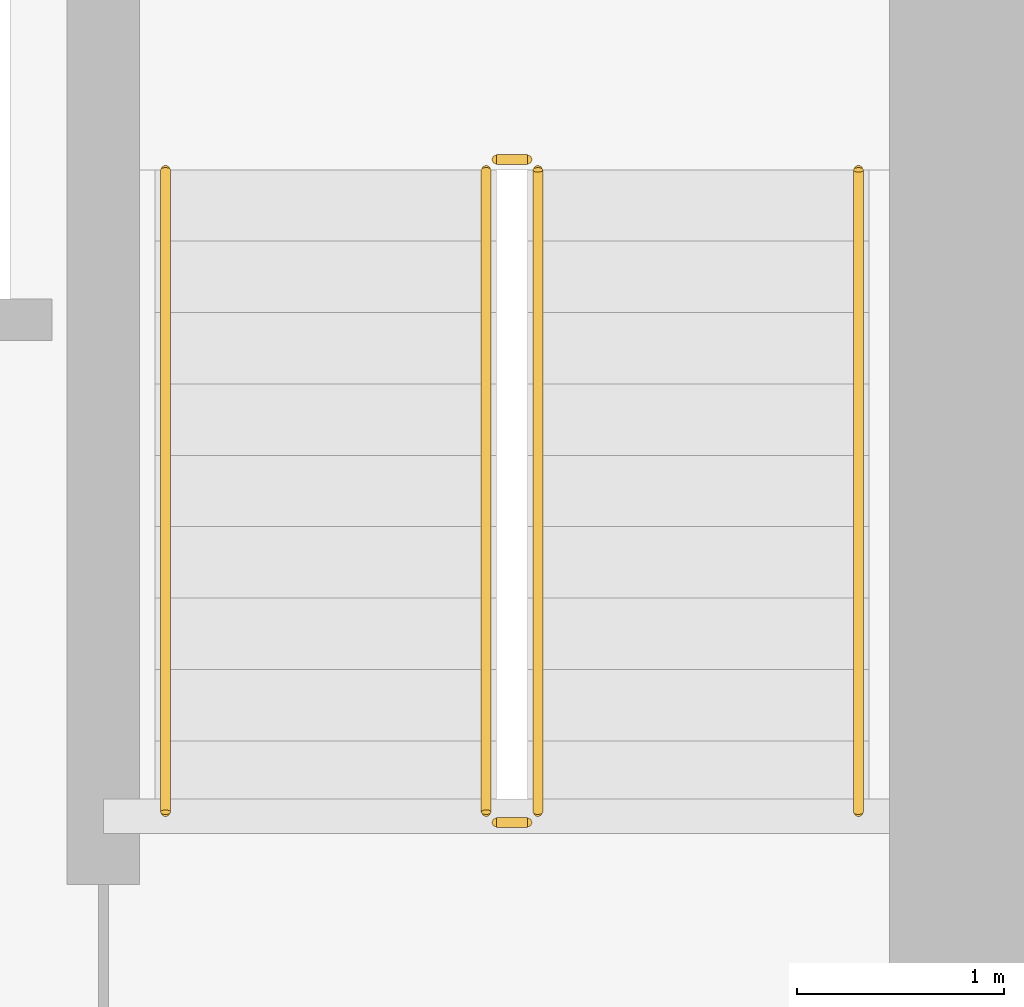
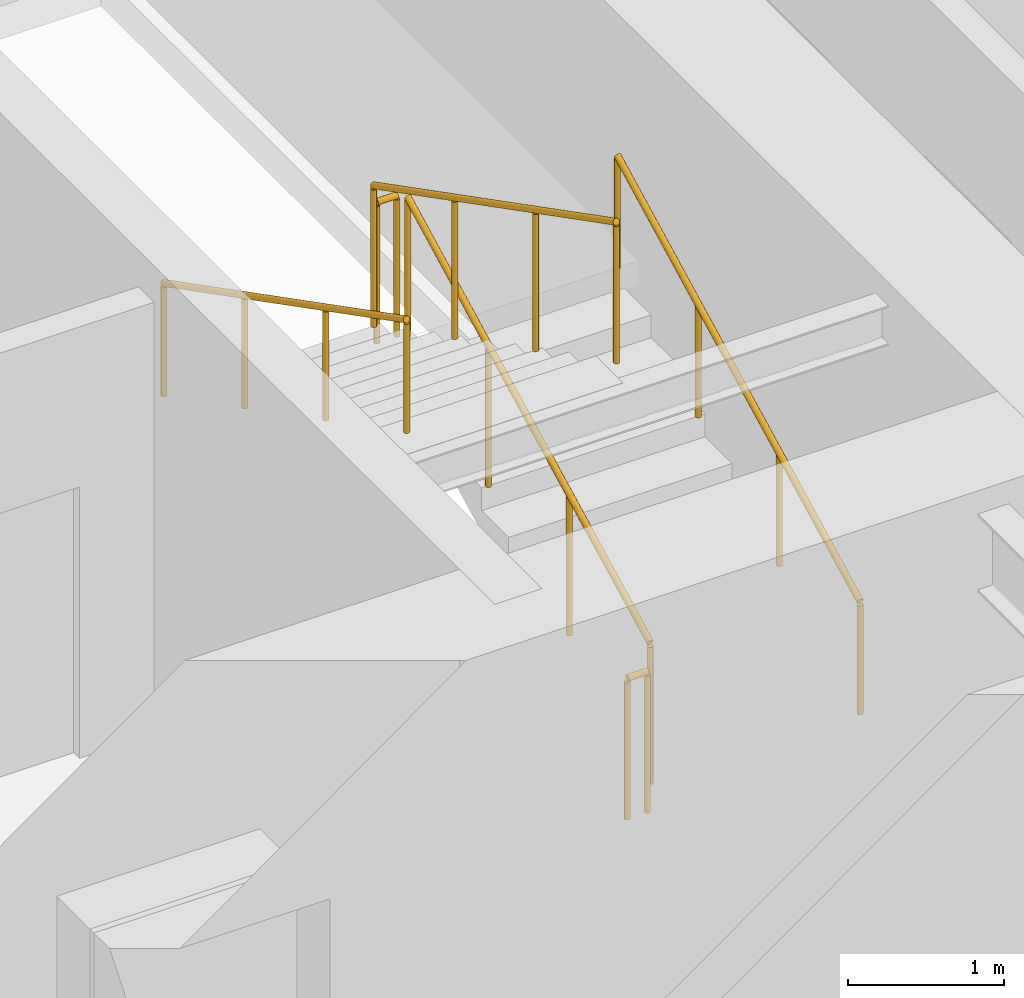
# One storey, part 23 of 25: 6 railings.
"""IFC4 building model written with IfcOpenShell, lengths in metres."""

from ifc_helpers import new_model, si_unit, direction, frame, origin, origin_2d, place, context, subcontext, project, spatial, circle, extrude, material, type_object, element, save


model = new_model("IFC4")

# Units and contexts
model_context = context("Model", 3, precision=1e-05, world=origin(), true_north=direction((0.0, 1.0)))
body_context = subcontext(model_context, "Body", "Model", "MODEL_VIEW")
ifc_project = project(units=[si_unit("LENGTHUNIT", "METRE"), si_unit("AREAUNIT", "SQUARE_METRE"), si_unit("VOLUMEUNIT", "CUBIC_METRE"), si_unit("PLANEANGLEUNIT", "RADIAN"), si_unit("MASSUNIT", "GRAM", prefix="KILO")], contexts=[model_context])

# Site, building, storey
site_placement = place(None, origin())
site = spatial("IfcSite", under=ifc_project, at=site_placement, CompositionType="ELEMENT")
building_placement = place(site_placement, origin())
building = spatial("IfcBuilding", under=site, at=building_placement, Name="Tolvann Quenvar Hotel", CompositionType="ELEMENT")
storey_placement = place(building_placement, frame((0.0, 0.0, 32.0)))
storey = spatial("IfcBuildingStorey", under=building, at=storey_placement, Name="L06", CompositionType="ELEMENT", Elevation=32.0)

# Railings
ifc_material = material(Name="Brushed 316 stainless steel balustrade and handrail", Category="steel")
railing_type_1 = type_object("IfcRailingType", Name="GUARDRAIL", PredefinedType="GUARDRAIL", material=ifc_material)
railing_1_placement = place(storey_placement, frame((33.800048828125, 34.0, 0.177490234375)))
element("IfcRailing", 1, at=railing_1_placement, inside=storey, type_object=railing_type_1, Name="L06 ST-C2 stair guard 1", PredefinedType="GUARDRAIL", context=body_context, shape_type="SweptSolid", body=[
    extrude(circle(Radius=0.02392578125, at=origin_2d()), frame((0.0, 0.0, 1.09619140625), z_axis=(0.0, 0.889221982265, 0.45747597342), x_axis=(-1.0, 0.0, 0.0)), (0.0, 0.0, 1.0), 3.49169921875),
    extrude(circle(Radius=0.02099609375, at=origin_2d()), origin(), (0.0, 0.0, 1.0), 1.072021484375),
    extrude(circle(Radius=0.02099609375, at=origin_2d()), frame((0.0, 1.034912109375, 0.532470703125)), (0.0, 0.0, 1.0), 1.072021484375),
    extrude(circle(Radius=0.02099609375, at=origin_2d()), frame((0.0, 2.070068359375, 1.06494140625)), (0.0, 0.0, 1.0), 1.072021484375),
    extrude(circle(Radius=0.02099609375, at=origin_2d()), frame((0.0, 3.10498046875, 1.597412109375)), (0.0, 0.0, 1.0), 1.072021484375),
])
railing_2_placement = place(storey_placement, frame((33.75, 37.155029296875, 1.77490234375)))
element("IfcRailing", 2, at=railing_2_placement, inside=storey, type_object=railing_type_1, Name="L06 ST-C2 stair guard 2", PredefinedType="GUARDRAIL", context=body_context, shape_type="SweptSolid", body=[
    extrude(circle(Radius=0.02392578125, at=origin_2d()), frame((0.0, 0.0, 1.09619140625), z_axis=(-1.0, 0.0, 0.0), x_axis=(0.0, -1.0, 0.0)), (0.0, 0.0, 1.0), 0.14990234375),
    extrude(circle(Radius=0.02099609375, at=origin_2d()), origin(), (0.0, 0.0, 1.0), 1.072021484375),
    extrude(circle(Radius=0.02099609375, at=origin_2d()), frame((-0.14990234375, 0.0, 0.0)), (0.0, 0.0, 1.0), 1.072021484375),
])
railing_3_placement = place(storey_placement, frame((33.550048828125, 37.10498046875, 1.952392578125)))
element("IfcRailing", 3, at=railing_3_placement, inside=storey, type_object=railing_type_1, Name="L06 ST-C2 stair guard 3", PredefinedType="GUARDRAIL", context=body_context, shape_type="SweptSolid", body=[
    extrude(circle(Radius=0.02392578125, at=origin_2d()), frame((0.0, 0.0, 1.09619140625), z_axis=(0.0, -0.88919353882, 0.457531256332), x_axis=(1.0, 0.0, 0.0)), (0.0, 0.0, 1.0), 3.491943359375),
    extrude(circle(Radius=0.02099609375, at=origin_2d()), origin(), (0.0, 0.0, 1.0), 1.072021484375),
    extrude(circle(Radius=0.02099609375, at=origin_2d()), frame((0.0, -1.034912109375, 0.532470703125)), (0.0, 0.0, 1.0), 1.072021484375),
    extrude(circle(Radius=0.02099609375, at=origin_2d()), frame((0.0, -2.070068359375, 1.065185546875)), (0.0, 0.0, 1.0), 1.072021484375),
    extrude(circle(Radius=0.02099609375, at=origin_2d()), frame((0.0, -3.10498046875, 1.59765625)), (0.0, 0.0, 1.0), 1.072021484375),
])
railing_4_placement = place(storey_placement, frame((33.75, 33.949951171875, 0.0)))
element("IfcRailing", 4, at=railing_4_placement, inside=storey, type_object=railing_type_1, Name="L06 ST-C2 stair guard 4", PredefinedType="GUARDRAIL", context=body_context, shape_type="SweptSolid", body=[
    extrude(circle(Radius=0.02392578125, at=origin_2d()), frame((0.0, 0.0, 1.09619140625), z_axis=(-1.0, 0.0, 0.0), x_axis=(0.0, -1.0, 0.0)), (0.0, 0.0, 1.0), 0.14990234375),
    extrude(circle(Radius=0.02099609375, at=origin_2d()), origin(), (0.0, 0.0, 1.0), 1.072021484375),
    extrude(circle(Radius=0.02099609375, at=origin_2d()), frame((-0.14990234375, 0.0, 0.0)), (0.0, 0.0, 1.0), 1.072021484375),
])
railing_type_2 = type_object("IfcRailingType", Name="HANDRAIL", PredefinedType="HANDRAIL", material=ifc_material)
railing_5_placement = place(storey_placement, frame((35.35009765625, 34.0, 0.177490234375)))
element("IfcRailing", 5, at=railing_5_placement, inside=storey, type_object=railing_type_2, Name="L06 ST-C2 stair handrail 1", PredefinedType="HANDRAIL", context=body_context, shape_type="SweptSolid", body=[
    extrude(circle(Radius=0.02392578125, at=origin_2d()), frame((0.0, 0.0, 0.8759765625), z_axis=(0.0, 0.889221982265, 0.45747597342), x_axis=(-1.0, 0.0, 0.0)), (0.0, 0.0, 1.0), 3.49169921875),
    extrude(circle(Radius=0.02099609375, at=origin_2d()), origin(), (0.0, 0.0, 1.0), 0.851806640625),
    extrude(circle(Radius=0.02099609375, at=origin_2d()), frame((0.0, 1.034912109375, 0.532470703125)), (0.0, 0.0, 1.0), 0.851806640625),
    extrude(circle(Radius=0.02099609375, at=origin_2d()), frame((0.0, 2.070068359375, 1.06494140625)), (0.0, 0.0, 1.0), 0.851806640625),
    extrude(circle(Radius=0.02099609375, at=origin_2d()), frame((0.0, 3.10498046875, 1.597412109375)), (0.0, 0.0, 1.0), 0.851806640625),
])
railing_6_placement = place(storey_placement, frame((32.0, 37.10498046875, 1.952392578125)))
element("IfcRailing", 6, at=railing_6_placement, inside=storey, type_object=railing_type_2, Name="L06 ST-C2 stair handrail 2", PredefinedType="HANDRAIL", context=body_context, shape_type="SweptSolid", body=[
    extrude(circle(Radius=0.02392578125, at=origin_2d()), frame((0.0, 0.0, 0.8759765625), z_axis=(0.0, -0.88919353882, 0.457531256332), x_axis=(1.0, 0.0, 0.0)), (0.0, 0.0, 1.0), 3.491943359375),
    extrude(circle(Radius=0.02099609375, at=origin_2d()), origin(), (0.0, 0.0, 1.0), 0.851806640625),
    extrude(circle(Radius=0.02099609375, at=origin_2d()), frame((0.0, -1.034912109375, 0.532470703125)), (0.0, 0.0, 1.0), 0.851806640625),
    extrude(circle(Radius=0.02099609375, at=origin_2d()), frame((0.0, -2.070068359375, 1.065185546875)), (0.0, 0.0, 1.0), 0.851806640625),
    extrude(circle(Radius=0.02099609375, at=origin_2d()), frame((0.0, -3.10498046875, 1.59765625)), (0.0, 0.0, 1.0), 0.851806640625),
])

save(model, "model.ifc")
